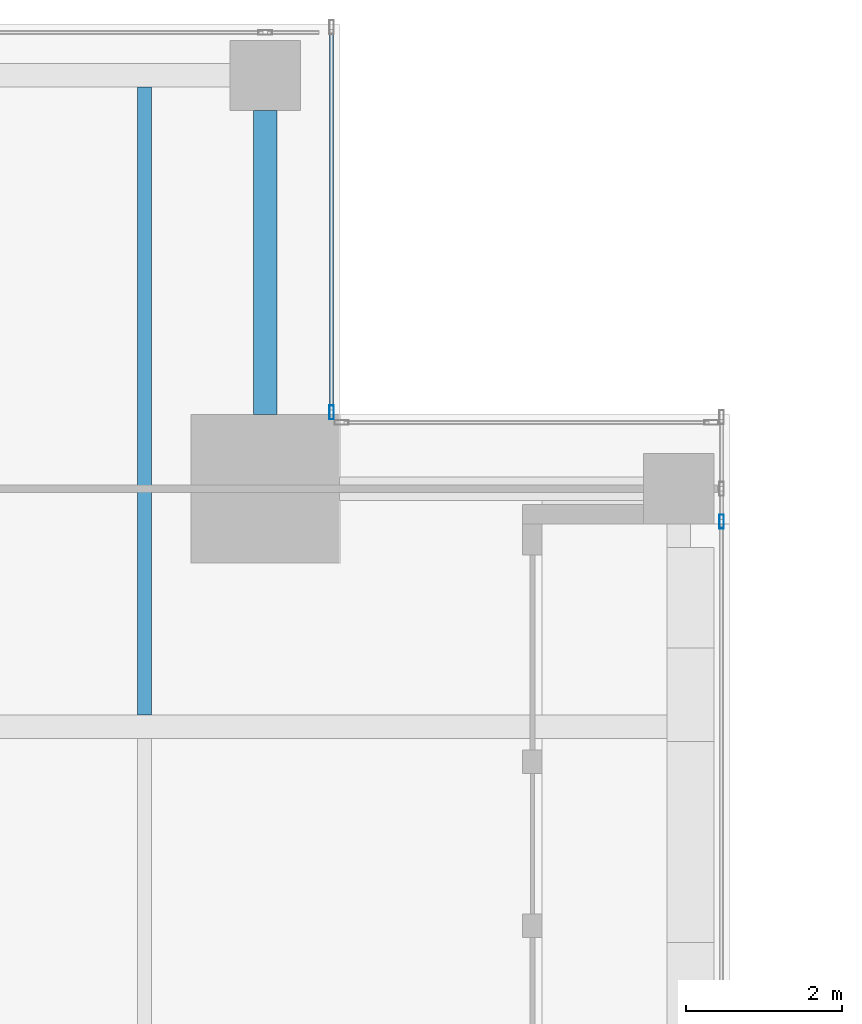
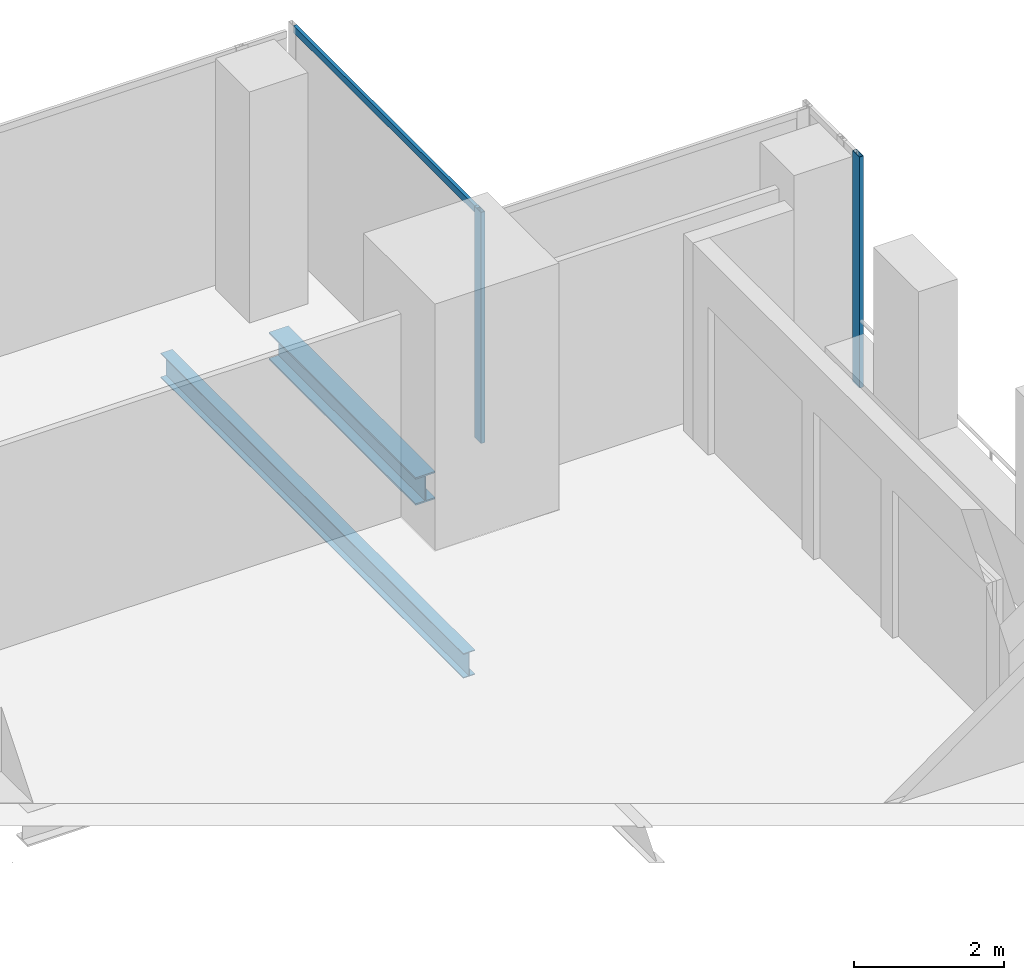
# One storey, part 20 of 34: 3 members, 2 beams, 2 elements without a shape of their own.
"""IFC4 building model written with IfcOpenShell, lengths in metres."""

from ifc_helpers import new_model, si_unit, direction, frame, origin, origin_2d, place, context, subcontext, project, spatial, hollow_rectangle, i_section, extrude, source, transform, mapped, material, material_profile, profile_set, type_object, element, aggregate, save


model = new_model("IFC4")

# Units and contexts
model_context = context("Model", 3, precision=1e-05, world=origin(), true_north=direction((0.0, 1.0)))
body_context = subcontext(model_context, "Body", "Model", "MODEL_VIEW")
ifc_project = project(units=[si_unit("LENGTHUNIT", "METRE"), si_unit("AREAUNIT", "SQUARE_METRE"), si_unit("VOLUMEUNIT", "CUBIC_METRE"), si_unit("PLANEANGLEUNIT", "RADIAN"), si_unit("MASSUNIT", "GRAM", prefix="KILO")], contexts=[model_context])

# Site, building, storey
site_placement = place(None, origin())
site = spatial("IfcSite", under=ifc_project, at=site_placement, CompositionType="ELEMENT")
building_placement = place(site_placement, origin())
building = spatial("IfcBuilding", under=site, at=building_placement, Name="Khomas Fold Tower", CompositionType="ELEMENT")
storey_placement = place(building_placement, frame((0.0, 0.0, 254.199951171875)))
storey = spatial("IfcBuildingStorey", under=building, at=storey_placement, Name="L57", CompositionType="ELEMENT", Elevation=254.199951171875)

# Beams
ifc_material_1 = material(Name="Steel S355", Category="steel")
ifc_material_profile_1 = material_profile(ifc_material_1, i_section(OverallWidth=0.300048828125, OverallDepth=0.449951171875, WebThickness=0.013916015625, FlangeThickness=0.02587890625, at=origin_2d()), Name="HE 450 B")
ifc_profile_set_1 = profile_set([ifc_material_profile_1], Name="Steel S355")
beam_type_1 = type_object("IfcBeamType", Name="HE 450 B spandrel SB4", PredefinedType="SPANDREL", material=ifc_profile_set_1)
shared_shape_1 = source(origin(), body_context, "Body", "SweptSolid", [
    extrude(i_section(OverallWidth=0.300048828125, OverallDepth=0.449951171875, WebThickness=0.013916015625, FlangeThickness=0.02587890625, at=origin_2d()), origin(), (0.0, 0.0, 1.0), 3.89990234375),
])
beam_1_placement = place(storey_placement, frame((43.550048828125, 44.5, -0.474853515625), z_axis=(0.0, 1.0, 0.0), x_axis=(-1.0, 0.0, 0.0)))
element("IfcBeam", 1, at=beam_1_placement, inside=storey, type_object=beam_type_1, Name="SB4", PredefinedType="SPANDREL", context=body_context, shape_type="MappedRepresentation", body=[
    mapped(shared_shape_1, transform((0.0, 0.0, 0.0))),
])
ifc_material_2 = material(Name="Steel S355", Category="steel")
ifc_material_profile_2 = material_profile(ifc_material_2, i_section(OverallWidth=0.179931640625, OverallDepth=0.39990234375, WebThickness=0.008544921875, FlangeThickness=0.013427734375, at=origin_2d()), Name="IPE 400")
ifc_profile_set_2 = profile_set([ifc_material_profile_2], Name="Steel S355")
beam_type_2 = type_object("IfcBeamType", Name="IPE 400 beam JB3", PredefinedType="BEAM", material=ifc_profile_set_2)
shared_shape_2 = source(origin(), body_context, "Body", "SweptSolid", [
    extrude(i_section(OverallWidth=0.179931640625, OverallDepth=0.39990234375, WebThickness=0.008544921875, FlangeThickness=0.013427734375, at=origin_2d()), origin(), (0.0, 0.0, 1.0), 8.050048828125),
])
beam_2_placement = place(storey_placement, frame((42.0, 40.64990234375, -0.449951171875), z_axis=(0.0, 1.0, 0.0), x_axis=(-1.0, 0.0, 0.0)))
element("IfcBeam", 2, at=beam_2_placement, inside=storey, type_object=beam_type_2, Name="JB3", PredefinedType="BEAM", context=body_context, shape_type="MappedRepresentation", body=[
    mapped(shared_shape_2, transform((0.0, 0.0, 0.0))),
])

# Curtain wall, member
ifc_material_3 = material(Name="Aluminium framed double glazing", Category="aluminium")
curtain_wall_type = type_object("IfcCurtainWallType", Name="SK-Unitised clear-glass wall, office floors CW2", PredefinedType="NOTDEFINED", material=ifc_material_3)
curtain_wall_1_placement = place(storey_placement, origin())
curtain_wall_1 = element("IfcCurtainWall", 3, at=curtain_wall_1_placement, inside=storey, type_object=curtain_wall_type, Name="CW2 run L57 03-1", PredefinedType="NOTDEFINED")
ifc_material_4 = material(Name="Aluminium", Category="aluminium")
ifc_material_profile_3 = material_profile(ifc_material_4, hollow_rectangle(XDim=0.06005859375, YDim=0.179931640625, WallThickness=0.00390625, at=origin_2d()), Name="SK-Unitised clear-glass wall, office floors mullion CW2-M")
ifc_profile_set_3 = profile_set([ifc_material_profile_3], Name="Aluminium")
member_type_1 = type_object("IfcMemberType", Name="SK-Unitised clear-glass wall, office floors mullion CW2-M", PredefinedType="MULLION", material=ifc_profile_set_3)
shared_shape_3 = source(origin(), body_context, "Body", "SweptSolid", [
    extrude(hollow_rectangle(XDim=0.06005859375, YDim=0.179931640625, WallThickness=0.00390625, at=origin_2d()), origin(), (0.0, 0.0, 1.0), 3.75),
])
member_1_placement = place(storey_placement, frame((49.39990234375, 43.1298828125, 0.0), z_axis=(0.0, 0.0, 1.0), x_axis=(-1.0, 0.0, 0.0)))
member_1 = element("IfcMember", 4, at=member_1_placement, type_object=member_type_1, Name="CW2 mullion 1", PredefinedType="MULLION", context=body_context, shape_type="MappedRepresentation", body=[
    mapped(shared_shape_3, transform((0.0, 0.0, 0.0))),
])
aggregate(curtain_wall_1, [member_1])

# Curtain wall, members
curtain_wall_2_placement = place(storey_placement, origin())
curtain_wall_2 = element("IfcCurtainWall", 5, at=curtain_wall_2_placement, inside=storey, type_object=curtain_wall_type, Name="CW2 corner return L57 05", PredefinedType="NOTDEFINED")
member_2_placement = place(storey_placement, frame((44.39990234375, 44.530029296875, 0.0), z_axis=(0.0, 0.0, 1.0), x_axis=(-1.0, 0.0, 0.0)))
member_2 = element("IfcMember", 6, at=member_2_placement, type_object=member_type_1, Name="CW2 mullion 1", PredefinedType="MULLION", context=body_context, shape_type="MappedRepresentation", body=[
    mapped(shared_shape_3, transform((0.0, 0.0, 0.0))),
])
ifc_material_5 = material(Name="Aluminium", Category="aluminium")
ifc_material_profile_4 = material_profile(ifc_material_5, hollow_rectangle(XDim=0.050048828125, YDim=0.110107421875, WallThickness=0.00390625, at=origin_2d()), Name="SK-Unitised clear-glass wall, office floors transom CW2-T")
ifc_profile_set_4 = profile_set([ifc_material_profile_4], Name="Aluminium")
member_type_2 = type_object("IfcMemberType", Name="SK-Unitised clear-glass wall, office floors transom CW2-T", PredefinedType="USERDEFINED", material=ifc_profile_set_4)
shared_shape_4 = source(origin(), body_context, "Body", "SweptSolid", [
    extrude(hollow_rectangle(XDim=0.050048828125, YDim=0.110107421875, WallThickness=0.00390625, at=origin_2d()), origin(), (0.0, 0.0, 1.0), 4.8798828125),
])
member_3_placement = place(storey_placement, frame((44.39990234375, 44.56005859375, 3.695068359375), z_axis=(0.0, 1.0, 0.0), x_axis=(-1.0, 0.0, 0.0)))
member_3 = element("IfcMember", 7, at=member_3_placement, type_object=member_type_2, Name="CW2 transom 1", ObjectType="TRANSOM", PredefinedType="USERDEFINED", context=body_context, shape_type="MappedRepresentation", body=[
    mapped(shared_shape_4, transform((0.0, 0.0, 0.0))),
])
aggregate(curtain_wall_2, [member_2, member_3])

save(model, "model.ifc")
